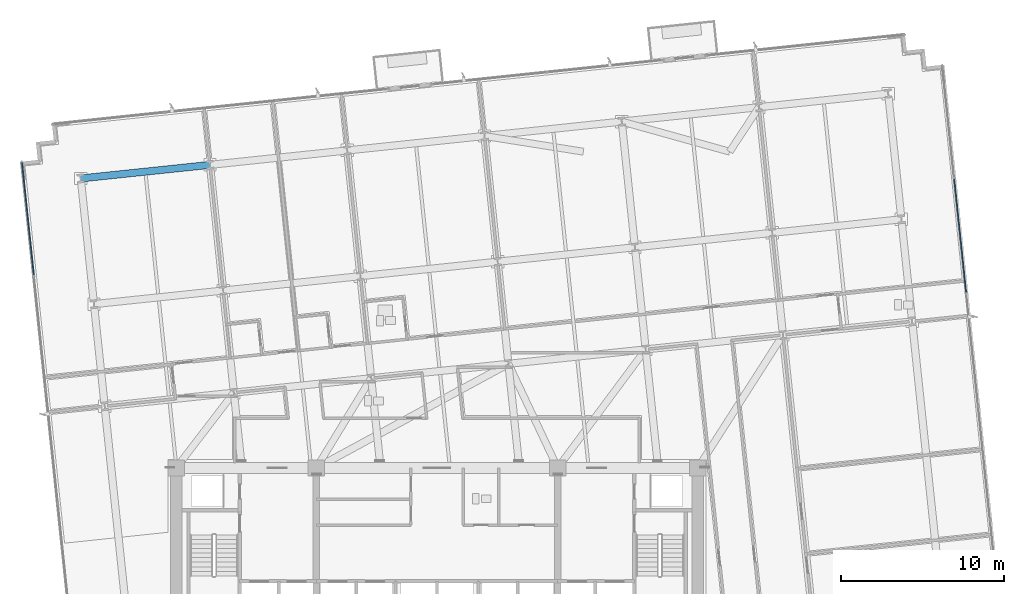
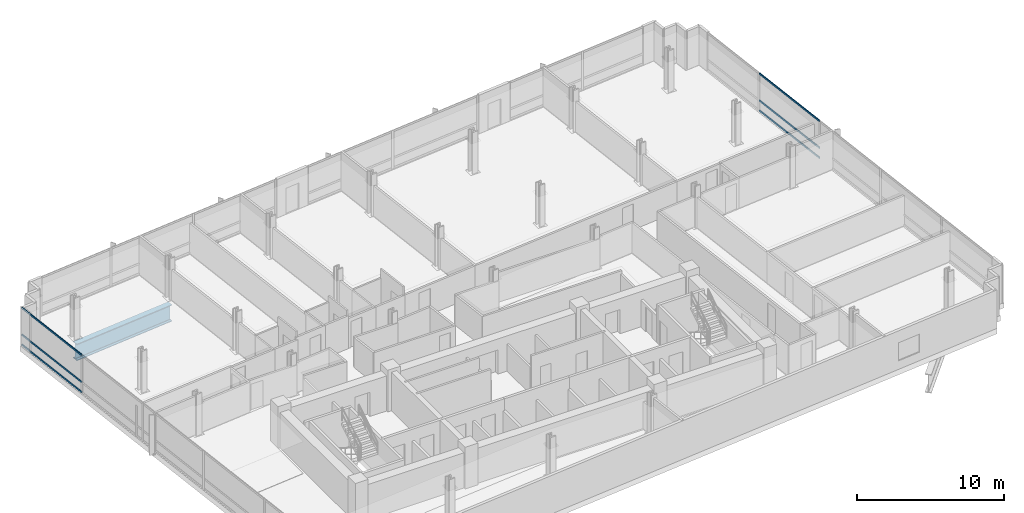
# One storey, part 6 of 18: 6 members, 1 beam, 2 elements without a shape of their own.
"""IFC4 building model written with IfcOpenShell, lengths in metres."""

from ifc_helpers import new_model, si_unit, direction, frame, origin, origin_2d, place, context, subcontext, project, spatial, rectangle, i_section, extrude, material, material_profile, profile_set, type_object, element, aggregate, save


model = new_model("IFC4")

# Units and contexts
model_context = context("Model", 3, precision=1e-05, world=origin(), true_north=direction((0.0, 1.0)))
body_context = subcontext(model_context, "Body", "Model", "MODEL_VIEW")
ifc_project = project(units=[si_unit("LENGTHUNIT", "METRE"), si_unit("AREAUNIT", "SQUARE_METRE"), si_unit("VOLUMEUNIT", "CUBIC_METRE"), si_unit("PLANEANGLEUNIT", "RADIAN"), si_unit("MASSUNIT", "GRAM", prefix="KILO")], contexts=[model_context])

# Site, building, storey
site_placement = place(None, origin())
site = spatial("IfcSite", under=ifc_project, at=site_placement, CompositionType="ELEMENT")
building_placement = place(site_placement, origin())
building = spatial("IfcBuilding", under=site, at=building_placement, Name="Solmavex Isthmus Hotel", CompositionType="ELEMENT")
storey_placement = place(building_placement, frame((0.0, 0.0, 80.10009765625)))
storey = spatial("IfcBuildingStorey", under=building, at=storey_placement, Name="L21", CompositionType="ELEMENT", Elevation=80.10009765625)

# Beam
ifc_material_1 = material(Name="Steel ASTM A572 Grade 50", Category="steel")
ifc_material_profile_1 = material_profile(ifc_material_1, i_section(OverallWidth=0.43994140625, OverallDepth=1.3798828125, WebThickness=0.030029296875, FlangeThickness=0.054931640625, FilletRadius=0.030517578125, at=origin_2d()), Name="I1380X440")
ifc_profile_set_1 = profile_set([ifc_material_profile_1], Name="Steel ASTM A572 Grade 50")
beam_type = type_object("IfcBeamType", Name="BM-TG-I1380", PredefinedType="BEAM", material=ifc_profile_set_1)
beam_placement = place(storey_placement, frame((-21.851806640625, 15.2587890625, -1.14013671875), z_axis=(0.994523402738, 0.104514120609, 0.0), x_axis=(-0.104514120609, 0.994523402738, 0.0)))
element("IfcBeam", 1, at=beam_placement, inside=storey, type_object=beam_type, Name="Outrigger Collector Girder L21-UG17", PredefinedType="BEAM", context=body_context, shape_type="SweptSolid", body=[
    extrude(i_section(OverallWidth=0.43994140625, OverallDepth=1.3798828125, WebThickness=0.030029296875, FlangeThickness=0.054931640625, FilletRadius=0.030517578125, at=origin_2d()), origin(), (0.0, 0.0, 1.0), 7.968017578125),
])

# Curtain wall, members
ifc_material_2 = material(Name="Aluminium alloy 6063-T6", Category="aluminium")
curtain_wall_type = type_object("IfcCurtainWallType", Name="CW-SYS-03", PredefinedType="NOTDEFINED", material=ifc_material_2)
curtain_wall_1_placement = place(storey_placement, origin())
curtain_wall_1 = element("IfcCurtainWall", 2, at=curtain_wall_1_placement, inside=storey, type_object=curtain_wall_type, Name="Stick Curtain Wall CWL-L21-W1", PredefinedType="NOTDEFINED")
ifc_material_profile_2 = material_profile(ifc_material_2, rectangle(XDim=0.070068359375, YDim=0.139892578125, at=origin_2d()), Name="CWT-70X140")
ifc_profile_set_2 = profile_set([ifc_material_profile_2], Name="Aluminium alloy 6063-T6")
member_type = type_object("IfcMemberType", Name="CW-SYS-03-TRN", PredefinedType="USERDEFINED", material=ifc_profile_set_2)
member_1_placement = place(storey_placement, frame((-24.728759765625, 9.340576171875, 0.06982421875), z_axis=(-0.104539595565, 0.994520725254, 0.0), x_axis=(-0.994520725254, -0.104539595565, 0.0)))
member_1 = element("IfcMember", 3, at=member_1_placement, type_object=member_type, Name="CW-03 transom 5.1", ObjectType="TRANSOM", PredefinedType="USERDEFINED", context=body_context, shape_type="SweptSolid", body=[
    extrude(rectangle(XDim=0.070068359375, YDim=0.139892578125, at=origin_2d()), origin(), (0.0, 0.0, 1.0), 6.9150390625),
])
member_2_placement = place(storey_placement, frame((-24.728759765625, 9.340576171875, 0.89990234375), z_axis=(-0.104539595565, 0.994520725254, 0.0), x_axis=(-0.994520725254, -0.104539595565, 0.0)))
member_2 = element("IfcMember", 4, at=member_2_placement, type_object=member_type, Name="CW-03 transom 5.2", ObjectType="TRANSOM", PredefinedType="USERDEFINED", context=body_context, shape_type="SweptSolid", body=[
    extrude(rectangle(XDim=0.070068359375, YDim=0.139892578125, at=origin_2d()), origin(), (0.0, 0.0, 1.0), 6.9150390625),
])
member_3_placement = place(storey_placement, frame((-24.728759765625, 9.340576171875, 3.119873046875), z_axis=(-0.104539595565, 0.994520725254, 0.0), x_axis=(-0.994520725254, -0.104539595565, 0.0)))
member_3 = element("IfcMember", 5, at=member_3_placement, type_object=member_type, Name="CW-03 transom 5.3", ObjectType="TRANSOM", PredefinedType="USERDEFINED", context=body_context, shape_type="SweptSolid", body=[
    extrude(rectangle(XDim=0.070068359375, YDim=0.139892578125, at=origin_2d()), origin(), (0.0, 0.0, 1.0), 6.9150390625),
])
aggregate(curtain_wall_1, [member_1, member_2, member_3])

curtain_wall_2_placement = place(storey_placement, origin())
curtain_wall_2 = element("IfcCurtainWall", 6, at=curtain_wall_2_placement, inside=storey, type_object=curtain_wall_type, Name="Stick Curtain Wall CWL-L21-E1", PredefinedType="NOTDEFINED")
member_4_placement = place(storey_placement, frame((32.4541015625, 8.2919921875, 0.06982421875), z_axis=(-0.104538500317, 0.994520840381, 0.0), x_axis=(-0.994520840381, -0.104538500317, 0.0)))
member_4 = element("IfcMember", 7, at=member_4_placement, type_object=member_type, Name="CW-03 transom 4.1", ObjectType="TRANSOM", PredefinedType="USERDEFINED", context=body_context, shape_type="SweptSolid", body=[
    extrude(rectangle(XDim=0.070068359375, YDim=0.139892578125, at=origin_2d()), origin(), (0.0, 0.0, 1.0), 6.9501953125),
])
member_5_placement = place(storey_placement, frame((32.4541015625, 8.2919921875, 0.89990234375), z_axis=(-0.104538500317, 0.994520840381, 0.0), x_axis=(-0.994520840381, -0.104538500317, 0.0)))
member_5 = element("IfcMember", 8, at=member_5_placement, type_object=member_type, Name="CW-03 transom 4.2", ObjectType="TRANSOM", PredefinedType="USERDEFINED", context=body_context, shape_type="SweptSolid", body=[
    extrude(rectangle(XDim=0.070068359375, YDim=0.139892578125, at=origin_2d()), origin(), (0.0, 0.0, 1.0), 6.9501953125),
])
member_6_placement = place(storey_placement, frame((32.4541015625, 8.2919921875, 3.119873046875), z_axis=(-0.104538500317, 0.994520840381, 0.0), x_axis=(-0.994520840381, -0.104538500317, 0.0)))
member_6 = element("IfcMember", 9, at=member_6_placement, type_object=member_type, Name="CW-03 transom 4.3", ObjectType="TRANSOM", PredefinedType="USERDEFINED", context=body_context, shape_type="SweptSolid", body=[
    extrude(rectangle(XDim=0.070068359375, YDim=0.139892578125, at=origin_2d()), origin(), (0.0, 0.0, 1.0), 6.9501953125),
])
aggregate(curtain_wall_2, [member_4, member_5, member_6])

save(model, "model.ifc")
